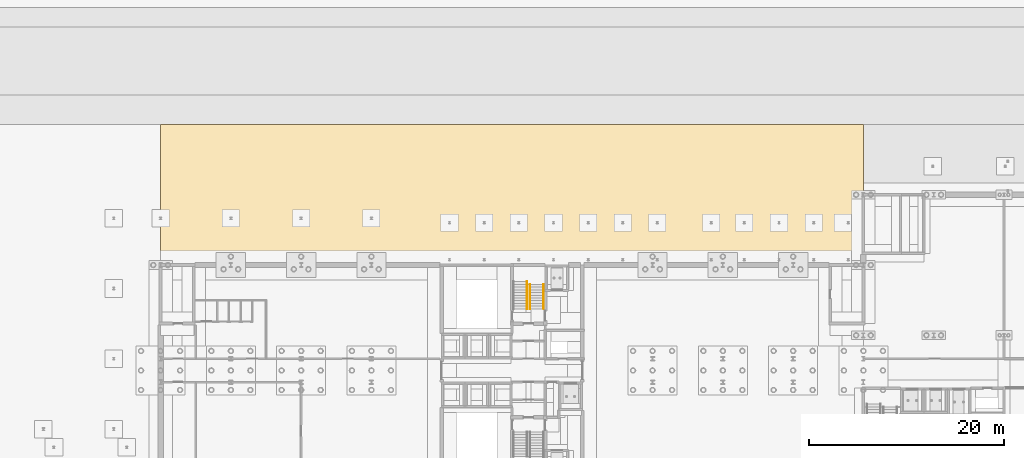
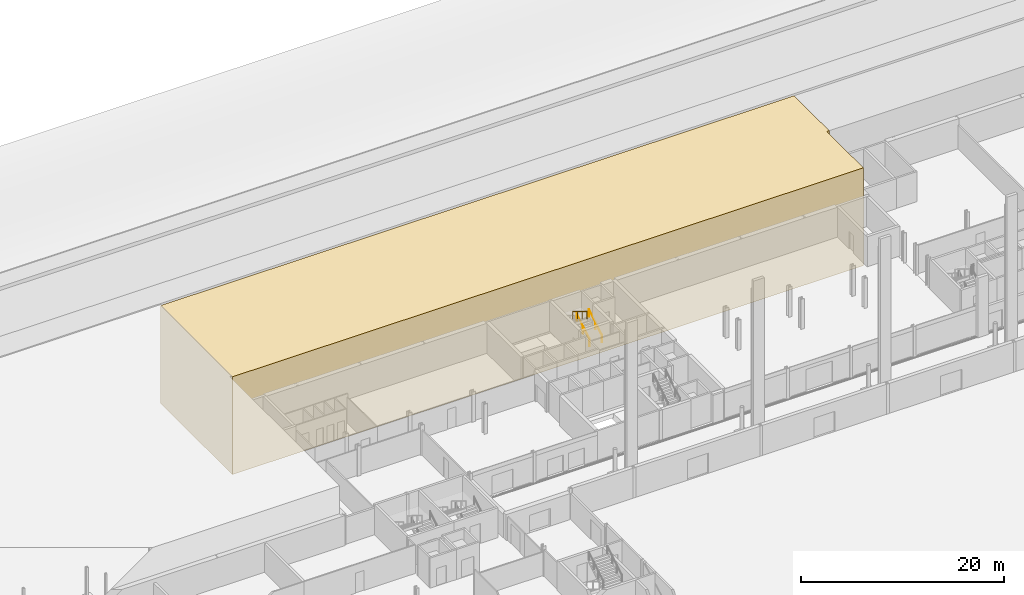
# One storey, part 139 of 148: 3 railings, 1 covering.
"""IFC4 building model written with IfcOpenShell, lengths in metres."""

from ifc_helpers import new_model, si_unit, direction, frame, origin, origin_2d, place, context, subcontext, project, spatial, polyline, circle, outline, extrude, material, layer, layer_set, type_object, element, save


model = new_model("IFC4")

# Units and contexts
model_context = context("Model", 3, precision=1e-05, world=origin(), true_north=direction((0.0, 1.0)))
body_context = subcontext(model_context, "Body", "Model", "MODEL_VIEW")
ifc_project = project(units=[si_unit("LENGTHUNIT", "METRE"), si_unit("AREAUNIT", "SQUARE_METRE"), si_unit("VOLUMEUNIT", "CUBIC_METRE"), si_unit("PLANEANGLEUNIT", "RADIAN"), si_unit("MASSUNIT", "GRAM", prefix="KILO")], contexts=[model_context])

# Site, building, storey
site_placement = place(None, origin())
site = spatial("IfcSite", under=ifc_project, at=site_placement, CompositionType="ELEMENT")
building_placement = place(site_placement, origin())
building = spatial("IfcBuilding", under=site, at=building_placement, Name="Kupolbacken Congress Centre", CompositionType="ELEMENT")
storey_placement = place(building_placement, origin())
storey = spatial("IfcBuildingStorey", under=building, at=storey_placement, Name="L00", CompositionType="ELEMENT", Elevation=0.0)

# Covering
ifc_material_1 = material(Name="Made ground", Category="soil")
ifc_layer = layer(ifc_material_1, 2.39990234375)
ifc_layer_set = layer_set([ifc_layer], Name="Made ground")
covering_type = type_object("IfcCoveringType", Name="GR5 earthworks, made ground", PredefinedType="FLOORING", material=ifc_layer_set)
covering_placement = place(storey_placement, frame((0.0, 0.0, -4.89990234375)))
element("IfcCovering", 1, at=covering_placement, inside=storey, type_object=covering_type, Name="Earth fill under arrival deck, made ground", PredefinedType="FLOORING", context=body_context, shape_type="SweptSolid", body=[
    extrude(outline(polyline([(136.800048828125, 151.47509765625), (136.52490234375, 151.47509765625), (136.52490234375, 144.27490234375), (64.800048828125, 144.27490234375), (64.800048828125, 158.39892578125), (136.800048828125, 158.39892578125), (136.800048828125, 151.47509765625)])), origin(), (0.0, 0.0, 1.0), 11.75),
])

# Railings
ifc_material_2 = material(Name="Steel S235", Category="steel")
railing_type = type_object("IfcRailingType", Name="RL3 handrail wall-mounted 900", PredefinedType="HANDRAIL", material=ifc_material_2)
for number, where, name in (
    (2, (102.64990234375, 139.5048828125, 0.17138671875), "C/stair/TS2/L00/HR1L"),
    (3, (104.050048828125, 139.5048828125, 0.17138671875), "C/stair/TS2/L00/HR1R"),
):
    element("IfcRailing", number, at=place(storey_placement, frame(where)), inside=storey, type_object=railing_type, Name=name, PredefinedType="HANDRAIL", context=body_context, shape_type="SweptSolid", body=[
        extrude(circle(Radius=0.02392578125, at=origin_2d()), frame((0.0, 0.0, 0.8759765625), z_axis=(0.0, 0.852836285881, 0.522178388565), x_axis=(-1.0, 0.0, 0.0)), (0.0, 0.0, 1.0), 2.954833984375),
        extrude(circle(Radius=0.02099609375, at=origin_2d()), origin(), (0.0, 0.0, 1.0), 0.851806640625),
        extrude(circle(Radius=0.02099609375, at=origin_2d()), frame((0.0, 1.260009765625, 0.771484375)), (0.0, 0.0, 1.0), 0.851806640625),
        extrude(circle(Radius=0.02099609375, at=origin_2d()), frame((0.0, 2.52001953125, 1.54296875)), (0.0, 0.0, 1.0), 0.851806640625),
    ])
railing_placement = place(storey_placement, frame((102.35009765625, 142.304931640625, 1.8857421875)))
element("IfcRailing", 4, at=railing_placement, inside=storey, type_object=railing_type, Name="C/stair/TS2/L00/HR2L", PredefinedType="HANDRAIL", context=body_context, shape_type="SweptSolid", body=[
    extrude(circle(Radius=0.02392578125, at=origin_2d()), frame((0.0, 0.0, 0.8759765625), z_axis=(0.0, -0.852845897599, 0.522162690116), x_axis=(1.0, 0.0, 0.0)), (0.0, 0.0, 1.0), 3.283203125),
    extrude(circle(Radius=0.02099609375, at=origin_2d()), origin(), (0.0, 0.0, 1.0), 0.851806640625),
    extrude(circle(Radius=0.02099609375, at=origin_2d()), frame((0.0, -0.933349609375, 0.571533203125)), (0.0, 0.0, 1.0), 0.851806640625),
    extrude(circle(Radius=0.02099609375, at=origin_2d()), frame((0.0, -1.86669921875, 1.142822265625)), (0.0, 0.0, 1.0), 0.851806640625),
    extrude(circle(Radius=0.02099609375, at=origin_2d()), frame((0.0, -2.800048828125, 1.71435546875)), (0.0, 0.0, 1.0), 0.851806640625),
])

save(model, "model.ifc")
